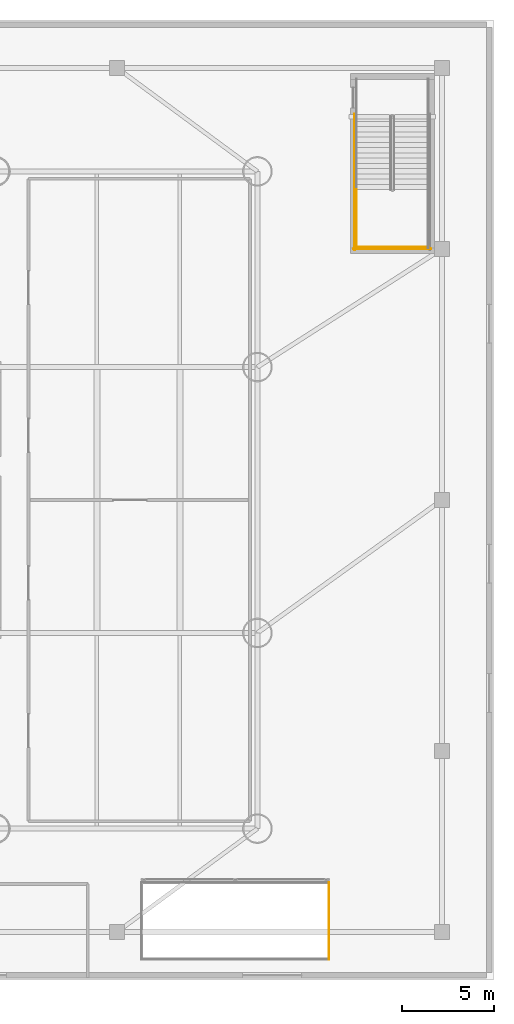
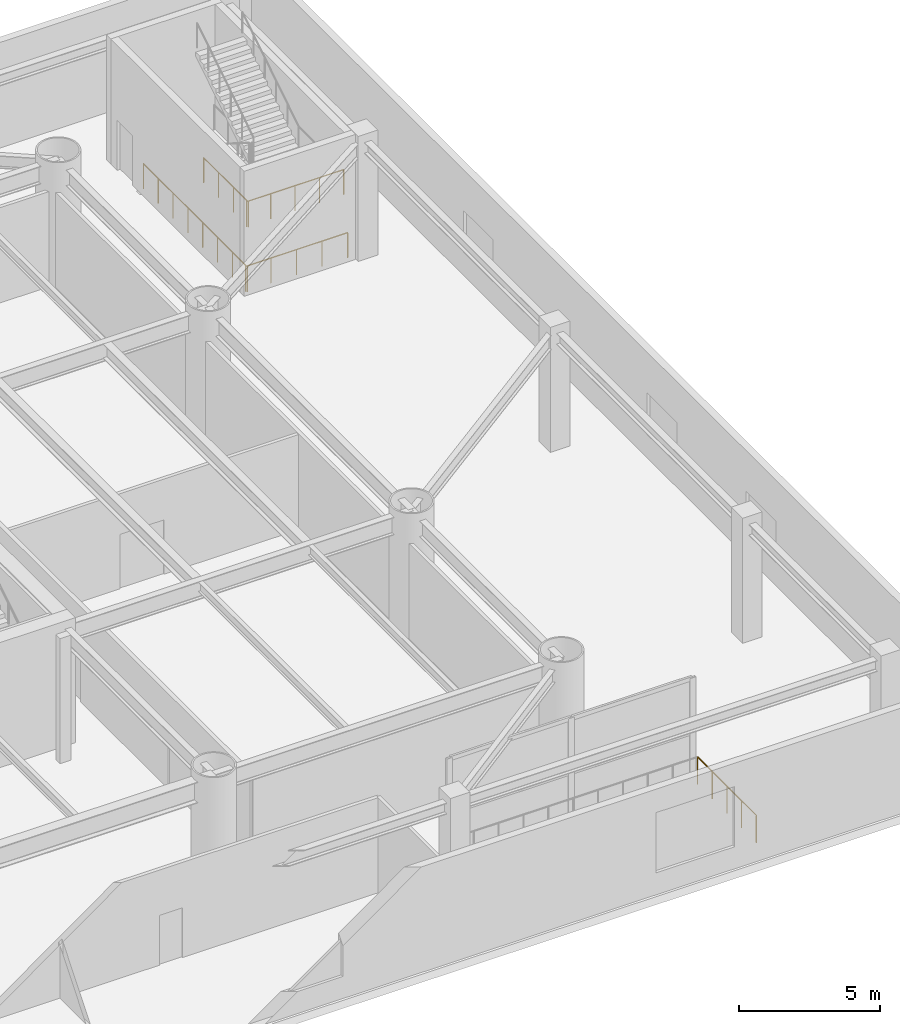
# One storey, part 15 of 16: 5 railings.
"""IFC4 building model written with IfcOpenShell, lengths in metres."""

from ifc_helpers import new_model, si_unit, direction, frame, origin, origin_2d, place, context, subcontext, project, spatial, circle, extrude, material, type_object, element, save


model = new_model("IFC4")

# Units and contexts
model_context = context("Model", 3, precision=1e-05, world=origin(), true_north=direction((0.0, 1.0)))
body_context = subcontext(model_context, "Body", "Model", "MODEL_VIEW")
ifc_project = project(units=[si_unit("LENGTHUNIT", "METRE"), si_unit("AREAUNIT", "SQUARE_METRE"), si_unit("VOLUMEUNIT", "CUBIC_METRE"), si_unit("PLANEANGLEUNIT", "RADIAN"), si_unit("MASSUNIT", "GRAM", prefix="KILO")], contexts=[model_context])

# Site, building, storey
site_placement = place(None, origin())
site = spatial("IfcSite", under=ifc_project, at=site_placement, CompositionType="ELEMENT")
building_placement = place(site_placement, origin())
building = spatial("IfcBuilding", under=site, at=building_placement, Name="Bramvorn Convention Spire", CompositionType="ELEMENT")
storey_placement = place(building_placement, frame((0.0, 0.0, 6.60009765625)))
storey = spatial("IfcBuildingStorey", under=building, at=storey_placement, Name="L01", CompositionType="ELEMENT", Elevation=6.60009765625)

# Railings
ifc_material_1 = material(Name="Warm Bronze Perforated Metal & Glass Balustrade", Category="glass")
railing_type_1 = type_object("IfcRailingType", Name="RL-POD-BALUSTRADE-1200", PredefinedType="BALUSTRADE", material=ifc_material_1)
railing_1_placement = place(storey_placement, frame((67.080078125, 1.1201171875, 0.0)))
element("IfcRailing", 1, at=railing_1_placement, inside=storey, type_object=railing_type_1, Name="L01 SE void perimeter balustrade side 2", PredefinedType="BALUSTRADE", context=body_context, shape_type="SweptSolid", body=[
    extrude(circle(Radius=0.02392578125, at=origin_2d()), frame((0.0, 0.0, 1.17578125), z_axis=(0.0, 1.0, 0.0), x_axis=(-1.0, 0.0, 0.0)), (0.0, 0.0, 1.0), 4.159912109375),
    extrude(circle(Radius=0.02099609375, at=origin_2d()), origin(), (0.0, 0.0, 1.0), 1.15185546875),
    extrude(circle(Radius=0.02099609375, at=origin_2d()), frame((0.0, 1.0400390625, 0.0)), (0.0, 0.0, 1.0), 1.15185546875),
    extrude(circle(Radius=0.02099609375, at=origin_2d()), frame((0.0, 2.080078125, 0.0)), (0.0, 0.0, 1.0), 1.15185546875),
    extrude(circle(Radius=0.02099609375, at=origin_2d()), frame((0.0, 3.119873046875, 0.0)), (0.0, 0.0, 1.0), 1.15185546875),
    extrude(circle(Radius=0.02099609375, at=origin_2d()), frame((0.0, 4.159912109375, 0.0)), (0.0, 0.0, 1.0), 1.15185546875),
])
ifc_material_2 = material(Name="Painted Steel Balustrade & Guardrail", Category="steel")
railing_type_2 = type_object("IfcRailingType", Name="RL-STAIR-GUARD-1100", PredefinedType="GUARDRAIL", material=ifc_material_2)
railing_2_placement = place(storey_placement, frame((68.570068359375, 42.81005859375, 2.699951171875)))
element("IfcRailing", 2, at=railing_2_placement, inside=storey, type_object=railing_type_2, Name="L01 ST5 stair guard 3", PredefinedType="GUARDRAIL", context=body_context, shape_type="SweptSolid", body=[
    extrude(circle(Radius=0.02392578125, at=origin_2d()), frame((0.0, 0.0, 1.076171875), z_axis=(0.0, -1.0, 0.0), x_axis=(1.0, 0.0, 0.0)), (0.0, 0.0, 1.0), 3.16015625),
    extrude(circle(Radius=0.02099609375, at=origin_2d()), origin(), (0.0, 0.0, 1.0), 1.052001953125),
    extrude(circle(Radius=0.02099609375, at=origin_2d()), frame((0.0, -1.053466796875, 0.0)), (0.0, 0.0, 1.0), 1.052001953125),
    extrude(circle(Radius=0.02099609375, at=origin_2d()), frame((0.0, -2.106689453125, 0.0)), (0.0, 0.0, 1.0), 1.052001953125),
    extrude(circle(Radius=0.02099609375, at=origin_2d()), frame((0.0, -3.16015625, 0.0)), (0.0, 0.0, 1.0), 1.052001953125),
])
railing_3_placement = place(storey_placement, frame((68.52001953125, 39.699951171875, 2.699951171875)))
element("IfcRailing", 3, at=railing_3_placement, inside=storey, type_object=railing_type_2, Name="L01 ST5 stair guard 5", PredefinedType="GUARDRAIL", context=body_context, shape_type="SweptSolid", body=[
    extrude(circle(Radius=0.02392578125, at=origin_2d()), frame((0.0, 0.0, 1.076171875), z_axis=(1.0, 0.0, 0.0), x_axis=(0.0, 1.0, 0.0)), (0.0, 0.0, 1.0), 3.97998046875),
    extrude(circle(Radius=0.02099609375, at=origin_2d()), origin(), (0.0, 0.0, 1.0), 1.052001953125),
    extrude(circle(Radius=0.02099609375, at=origin_2d()), frame((0.9951171875, 0.0, 0.0)), (0.0, 0.0, 1.0), 1.052001953125),
    extrude(circle(Radius=0.02099609375, at=origin_2d()), frame((1.989990234375, 0.0, 0.0)), (0.0, 0.0, 1.0), 1.052001953125),
    extrude(circle(Radius=0.02099609375, at=origin_2d()), frame((2.98486328125, 0.0, 0.0)), (0.0, 0.0, 1.0), 1.052001953125),
    extrude(circle(Radius=0.02099609375, at=origin_2d()), frame((3.97998046875, 0.0, 0.0)), (0.0, 0.0, 1.0), 1.052001953125),
])
railing_4_placement = place(storey_placement, frame((68.469970703125, 46.89990234375, 0.0)))
element("IfcRailing", 4, at=railing_4_placement, inside=storey, type_object=railing_type_2, Name="L01 ST5 stair guard 10", PredefinedType="GUARDRAIL", context=body_context, shape_type="SweptSolid", body=[
    extrude(circle(Radius=0.02392578125, at=origin_2d()), frame((0.0, 0.0, 1.076171875), z_axis=(0.0, -1.0, 0.0), x_axis=(1.0, 0.0, 0.0)), (0.0, 0.0, 1.0), 7.349853515625),
    extrude(circle(Radius=0.02099609375, at=origin_2d()), origin(), (0.0, 0.0, 1.0), 1.052001953125),
    extrude(circle(Radius=0.02099609375, at=origin_2d()), frame((0.0, -1.050048828125, 0.0)), (0.0, 0.0, 1.0), 1.052001953125),
    extrude(circle(Radius=0.02099609375, at=origin_2d()), frame((0.0, -2.099853515625, 0.0)), (0.0, 0.0, 1.0), 1.052001953125),
    extrude(circle(Radius=0.02099609375, at=origin_2d()), frame((0.0, -3.14990234375, 0.0)), (0.0, 0.0, 1.0), 1.052001953125),
    extrude(circle(Radius=0.02099609375, at=origin_2d()), frame((0.0, -4.199951171875, 0.0)), (0.0, 0.0, 1.0), 1.052001953125),
    extrude(circle(Radius=0.02099609375, at=origin_2d()), frame((0.0, -5.25, 0.0)), (0.0, 0.0, 1.0), 1.052001953125),
    extrude(circle(Radius=0.02099609375, at=origin_2d()), frame((0.0, -6.2998046875, 0.0)), (0.0, 0.0, 1.0), 1.052001953125),
    extrude(circle(Radius=0.02099609375, at=origin_2d()), frame((0.0, -7.349853515625, 0.0)), (0.0, 0.0, 1.0), 1.052001953125),
])
railing_5_placement = place(storey_placement, frame((68.419921875, 39.60009765625, 0.0)))
element("IfcRailing", 5, at=railing_5_placement, inside=storey, type_object=railing_type_2, Name="L01 ST5 stair guard 12", PredefinedType="GUARDRAIL", context=body_context, shape_type="SweptSolid", body=[
    extrude(circle(Radius=0.02392578125, at=origin_2d()), frame((0.0, 0.0, 1.076171875), z_axis=(1.0, 0.0, 0.0), x_axis=(0.0, 1.0, 0.0)), (0.0, 0.0, 1.0), 4.18017578125),
    extrude(circle(Radius=0.02099609375, at=origin_2d()), origin(), (0.0, 0.0, 1.0), 1.052001953125),
    extrude(circle(Radius=0.02099609375, at=origin_2d()), frame((1.044921875, 0.0, 0.0)), (0.0, 0.0, 1.0), 1.052001953125),
    extrude(circle(Radius=0.02099609375, at=origin_2d()), frame((2.090087890625, 0.0, 0.0)), (0.0, 0.0, 1.0), 1.052001953125),
    extrude(circle(Radius=0.02099609375, at=origin_2d()), frame((3.13525390625, 0.0, 0.0)), (0.0, 0.0, 1.0), 1.052001953125),
    extrude(circle(Radius=0.02099609375, at=origin_2d()), frame((4.18017578125, 0.0, 0.0)), (0.0, 0.0, 1.0), 1.052001953125),
])

save(model, "model.ifc")
